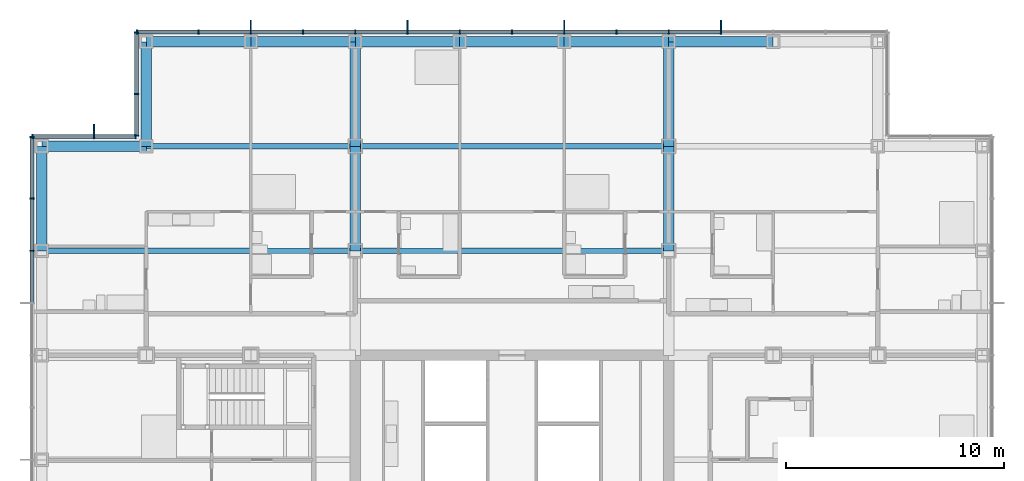
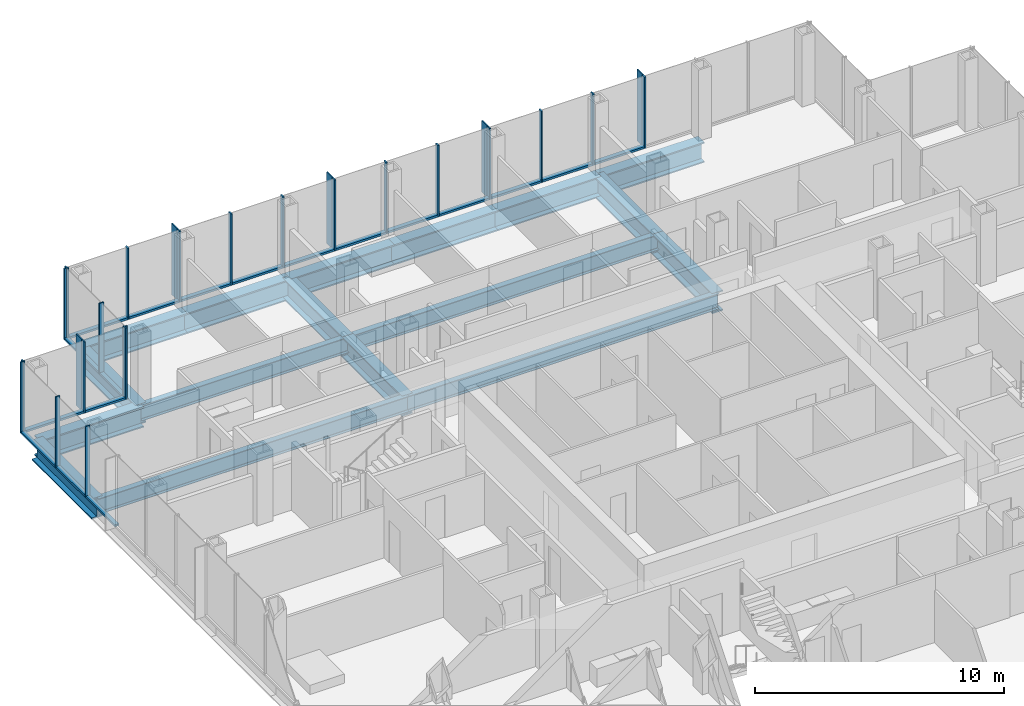
# One storey, part 10 of 21: 44 members, 17 beams, 4 elements without a shape of their own.
"""IFC4 building model written with IfcOpenShell, lengths in metres."""

from ifc_helpers import new_model, si_unit, direction, frame, origin, origin_2d, place, context, subcontext, project, spatial, rectangle, i_section, extrude, material, material_profile, profile_set, type_object, element, aggregate, save


model = new_model("IFC4")

# Units and contexts
model_context = context("Model", 3, precision=1e-05, world=origin(), true_north=direction((0.0, 1.0)))
body_context = subcontext(model_context, "Body", "Model", "MODEL_VIEW")
ifc_project = project(units=[si_unit("LENGTHUNIT", "METRE"), si_unit("AREAUNIT", "SQUARE_METRE"), si_unit("VOLUMEUNIT", "CUBIC_METRE"), si_unit("PLANEANGLEUNIT", "RADIAN"), si_unit("MASSUNIT", "GRAM", prefix="KILO")], contexts=[model_context])

# Site, building, storey
site_placement = place(None, origin())
site = spatial("IfcSite", under=ifc_project, at=site_placement, CompositionType="ELEMENT")
building_placement = place(site_placement, origin())
building = spatial("IfcBuilding", under=site, at=building_placement, Name="Kvirike Care Tower", CompositionType="ELEMENT")
storey_placement = place(building_placement, frame((0.0, 0.0, 65.5)))
storey = spatial("IfcBuildingStorey", under=building, at=storey_placement, Name="L17", CompositionType="ELEMENT", Elevation=65.5)

# Curtain wall, members
ifc_material_1 = material(Name="Anodised aluminium stick system", Category="aluminium")
curtain_wall_type = type_object("IfcCurtainWallType", Name="CW-A STICK CURTAIN WALL", PredefinedType="NOTDEFINED", material=ifc_material_1)
curtain_wall_1_placement = place(storey_placement, origin())
curtain_wall_1 = element("IfcCurtainWall", 1, at=curtain_wall_1_placement, inside=storey, type_object=curtain_wall_type, Name="Curtain wall L17 face 10", PredefinedType="NOTDEFINED")
ifc_material_2 = material(Name="Bronze anodised aluminium fin", Category="aluminium")
ifc_material_profile_1 = material_profile(ifc_material_2, rectangle(XDim=0.050048828125, YDim=0.449951171875, at=origin_2d()), Name="BRONZE FIN 450")
ifc_profile_set_1 = profile_set([ifc_material_profile_1], Name="Bronze anodised aluminium fin")
member_type_1 = type_object("IfcMemberType", Name="BRONZE FIN 450", PredefinedType="USERDEFINED", material=ifc_profile_set_1)
member_1_placement = place(storey_placement, frame((31.199951171875, 58.375, 0.0), z_axis=(0.0, 0.0, 1.0), x_axis=(-1.0, 0.0, 0.0)))
member_1 = element("IfcMember", 2, at=member_1_placement, type_object=member_type_1, Name="Bronze fin L17 face 10.4", ObjectType="FIN", PredefinedType="USERDEFINED", context=body_context, shape_type="SweptSolid", body=[
    extrude(rectangle(XDim=0.050048828125, YDim=0.449951171875, at=origin_2d()), origin(), (0.0, 0.0, 1.0), 3.5),
])
member_2_placement = place(storey_placement, frame((24.0, 58.375, 0.0), z_axis=(0.0, 0.0, 1.0), x_axis=(-1.0, 0.0, 0.0)))
member_2 = element("IfcMember", 3, at=member_2_placement, type_object=member_type_1, Name="Bronze fin L17 face 10.7", ObjectType="FIN", PredefinedType="USERDEFINED", context=body_context, shape_type="SweptSolid", body=[
    extrude(rectangle(XDim=0.050048828125, YDim=0.449951171875, at=origin_2d()), origin(), (0.0, 0.0, 1.0), 3.5),
])
member_3_placement = place(storey_placement, frame((16.800048828125, 58.375, 0.0), z_axis=(0.0, 0.0, 1.0), x_axis=(-1.0, 0.0, 0.0)))
member_3 = element("IfcMember", 4, at=member_3_placement, type_object=member_type_1, Name="Bronze fin L17 face 10.10", ObjectType="FIN", PredefinedType="USERDEFINED", context=body_context, shape_type="SweptSolid", body=[
    extrude(rectangle(XDim=0.050048828125, YDim=0.449951171875, at=origin_2d()), origin(), (0.0, 0.0, 1.0), 3.5),
])
member_4_placement = place(storey_placement, frame((9.60009765625, 58.375, 0.0), z_axis=(0.0, 0.0, 1.0), x_axis=(-1.0, 0.0, 0.0)))
member_4 = element("IfcMember", 5, at=member_4_placement, type_object=member_type_1, Name="Bronze fin L17 face 10.13", ObjectType="FIN", PredefinedType="USERDEFINED", context=body_context, shape_type="SweptSolid", body=[
    extrude(rectangle(XDim=0.050048828125, YDim=0.449951171875, at=origin_2d()), origin(), (0.0, 0.0, 1.0), 3.5),
])

# Curtain wall, member
curtain_wall_2_placement = place(storey_placement, origin())
curtain_wall_2 = element("IfcCurtainWall", 6, at=curtain_wall_2_placement, inside=storey, type_object=curtain_wall_type, Name="Curtain wall L17 face 12", PredefinedType="NOTDEFINED")
member_5_placement = place(storey_placement, frame((2.39990234375, 53.574951171875, 0.0), z_axis=(0.0, 0.0, 1.0), x_axis=(-1.0, 0.0, 0.0)))
member_5 = element("IfcMember", 7, at=member_5_placement, type_object=member_type_1, Name="Bronze fin L17 face 12.2", ObjectType="FIN", PredefinedType="USERDEFINED", context=body_context, shape_type="SweptSolid", body=[
    extrude(rectangle(XDim=0.050048828125, YDim=0.449951171875, at=origin_2d()), origin(), (0.0, 0.0, 1.0), 3.5),
])

# Curtain wall, members
curtain_wall_3_placement = place(storey_placement, origin())
curtain_wall_3 = element("IfcCurtainWall", 8, at=curtain_wall_3_placement, inside=storey, type_object=curtain_wall_type, Name="Curtain wall L17 face 1", PredefinedType="NOTDEFINED")
ifc_material_3 = material(Name="Bronze anodised aluminium mullion", Category="aluminium")
ifc_material_profile_2 = material_profile(ifc_material_3, rectangle(XDim=0.06494140625, YDim=0.199951171875, at=origin_2d()), Name="CW-A MULLION 65x200")
ifc_profile_set_2 = profile_set([ifc_material_profile_2], Name="Bronze anodised aluminium mullion")
member_type_2 = type_object("IfcMemberType", Name="CW-A MULLION 65x200", PredefinedType="MULLION", material=ifc_profile_set_2)
member_6_placement = place(storey_placement, frame((-0.449951171875, 53.217529296875, 0.0), z_axis=(0.0, 0.0, 1.0), x_axis=(0.0, -1.0, 0.0)))
member_6 = element("IfcMember", 9, at=member_6_placement, type_object=member_type_2, Name="CW-A mullion L17 face 1.1", PredefinedType="MULLION", context=body_context, shape_type="SweptSolid", body=[
    extrude(rectangle(XDim=0.06494140625, YDim=0.199951171875, at=origin_2d()), origin(), (0.0, 0.0, 1.0), 3.5),
])
member_7_placement = place(storey_placement, frame((-0.449951171875, 50.39990234375, 0.0), z_axis=(0.0, 0.0, 1.0), x_axis=(0.0, -1.0, 0.0)))
member_7 = element("IfcMember", 10, at=member_7_placement, type_object=member_type_2, Name="CW-A mullion L17 face 1.2", PredefinedType="MULLION", context=body_context, shape_type="SweptSolid", body=[
    extrude(rectangle(XDim=0.06494140625, YDim=0.199951171875, at=origin_2d()), origin(), (0.0, 0.0, 1.0), 3.5),
])
member_8_placement = place(storey_placement, frame((-0.449951171875, 48.0, 0.0), z_axis=(0.0, 0.0, 1.0), x_axis=(0.0, -1.0, 0.0)))
member_8 = element("IfcMember", 11, at=member_8_placement, type_object=member_type_2, Name="CW-A mullion L17 face 1.3", PredefinedType="MULLION", context=body_context, shape_type="SweptSolid", body=[
    extrude(rectangle(XDim=0.06494140625, YDim=0.199951171875, at=origin_2d()), origin(), (0.0, 0.0, 1.0), 3.5),
])

# Member
member_9_placement = place(storey_placement, frame((31.199951171875, 58.050048828125, 0.0), z_axis=(0.0, 0.0, 1.0), x_axis=(-1.0, 0.0, 0.0)))
member_9 = element("IfcMember", 12, at=member_9_placement, type_object=member_type_2, Name="CW-A mullion L17 face 10.4", PredefinedType="MULLION", context=body_context, shape_type="SweptSolid", body=[
    extrude(rectangle(XDim=0.06494140625, YDim=0.199951171875, at=origin_2d()), origin(), (0.0, 0.0, 1.0), 3.5),
])

member_10_placement = place(storey_placement, frame((28.800048828125, 58.050048828125, 0.0), z_axis=(0.0, 0.0, 1.0), x_axis=(-1.0, 0.0, 0.0)))
member_10 = element("IfcMember", 13, at=member_10_placement, type_object=member_type_2, Name="CW-A mullion L17 face 10.5", PredefinedType="MULLION", context=body_context, shape_type="SweptSolid", body=[
    extrude(rectangle(XDim=0.06494140625, YDim=0.199951171875, at=origin_2d()), origin(), (0.0, 0.0, 1.0), 3.5),
])

member_11_placement = place(storey_placement, frame((26.39990234375, 58.050048828125, 0.0), z_axis=(0.0, 0.0, 1.0), x_axis=(-1.0, 0.0, 0.0)))
member_11 = element("IfcMember", 14, at=member_11_placement, type_object=member_type_2, Name="CW-A mullion L17 face 10.6", PredefinedType="MULLION", context=body_context, shape_type="SweptSolid", body=[
    extrude(rectangle(XDim=0.06494140625, YDim=0.199951171875, at=origin_2d()), origin(), (0.0, 0.0, 1.0), 3.5),
])

member_12_placement = place(storey_placement, frame((24.0, 58.050048828125, 0.0), z_axis=(0.0, 0.0, 1.0), x_axis=(-1.0, 0.0, 0.0)))
member_12 = element("IfcMember", 15, at=member_12_placement, type_object=member_type_2, Name="CW-A mullion L17 face 10.7", PredefinedType="MULLION", context=body_context, shape_type="SweptSolid", body=[
    extrude(rectangle(XDim=0.06494140625, YDim=0.199951171875, at=origin_2d()), origin(), (0.0, 0.0, 1.0), 3.5),
])

member_13_placement = place(storey_placement, frame((21.60009765625, 58.050048828125, 0.0), z_axis=(0.0, 0.0, 1.0), x_axis=(-1.0, 0.0, 0.0)))
member_13 = element("IfcMember", 16, at=member_13_placement, type_object=member_type_2, Name="CW-A mullion L17 face 10.8", PredefinedType="MULLION", context=body_context, shape_type="SweptSolid", body=[
    extrude(rectangle(XDim=0.06494140625, YDim=0.199951171875, at=origin_2d()), origin(), (0.0, 0.0, 1.0), 3.5),
])

member_14_placement = place(storey_placement, frame((19.199951171875, 58.050048828125, 0.0), z_axis=(0.0, 0.0, 1.0), x_axis=(-1.0, 0.0, 0.0)))
member_14 = element("IfcMember", 17, at=member_14_placement, type_object=member_type_2, Name="CW-A mullion L17 face 10.9", PredefinedType="MULLION", context=body_context, shape_type="SweptSolid", body=[
    extrude(rectangle(XDim=0.06494140625, YDim=0.199951171875, at=origin_2d()), origin(), (0.0, 0.0, 1.0), 3.5),
])

member_15_placement = place(storey_placement, frame((16.800048828125, 58.050048828125, 0.0), z_axis=(0.0, 0.0, 1.0), x_axis=(-1.0, 0.0, 0.0)))
member_15 = element("IfcMember", 18, at=member_15_placement, type_object=member_type_2, Name="CW-A mullion L17 face 10.10", PredefinedType="MULLION", context=body_context, shape_type="SweptSolid", body=[
    extrude(rectangle(XDim=0.06494140625, YDim=0.199951171875, at=origin_2d()), origin(), (0.0, 0.0, 1.0), 3.5),
])

member_16_placement = place(storey_placement, frame((14.39990234375, 58.050048828125, 0.0), z_axis=(0.0, 0.0, 1.0), x_axis=(-1.0, 0.0, 0.0)))
member_16 = element("IfcMember", 19, at=member_16_placement, type_object=member_type_2, Name="CW-A mullion L17 face 10.11", PredefinedType="MULLION", context=body_context, shape_type="SweptSolid", body=[
    extrude(rectangle(XDim=0.06494140625, YDim=0.199951171875, at=origin_2d()), origin(), (0.0, 0.0, 1.0), 3.5),
])

member_17_placement = place(storey_placement, frame((12.0, 58.050048828125, 0.0), z_axis=(0.0, 0.0, 1.0), x_axis=(-1.0, 0.0, 0.0)))
member_17 = element("IfcMember", 20, at=member_17_placement, type_object=member_type_2, Name="CW-A mullion L17 face 10.12", PredefinedType="MULLION", context=body_context, shape_type="SweptSolid", body=[
    extrude(rectangle(XDim=0.06494140625, YDim=0.199951171875, at=origin_2d()), origin(), (0.0, 0.0, 1.0), 3.5),
])

member_18_placement = place(storey_placement, frame((9.60009765625, 58.050048828125, 0.0), z_axis=(0.0, 0.0, 1.0), x_axis=(-1.0, 0.0, 0.0)))
member_18 = element("IfcMember", 21, at=member_18_placement, type_object=member_type_2, Name="CW-A mullion L17 face 10.13", PredefinedType="MULLION", context=body_context, shape_type="SweptSolid", body=[
    extrude(rectangle(XDim=0.06494140625, YDim=0.199951171875, at=origin_2d()), origin(), (0.0, 0.0, 1.0), 3.5),
])

member_19_placement = place(storey_placement, frame((7.199951171875, 58.050048828125, 0.0), z_axis=(0.0, 0.0, 1.0), x_axis=(-1.0, 0.0, 0.0)))
member_19 = element("IfcMember", 22, at=member_19_placement, type_object=member_type_2, Name="CW-A mullion L17 face 10.14", PredefinedType="MULLION", context=body_context, shape_type="SweptSolid", body=[
    extrude(rectangle(XDim=0.06494140625, YDim=0.199951171875, at=origin_2d()), origin(), (0.0, 0.0, 1.0), 3.5),
])

member_20_placement = place(storey_placement, frame((4.382568359375, 58.050048828125, 0.0), z_axis=(0.0, 0.0, 1.0), x_axis=(-1.0, 0.0, 0.0)))
member_20 = element("IfcMember", 23, at=member_20_placement, type_object=member_type_2, Name="CW-A mullion L17 face 10.15", PredefinedType="MULLION", context=body_context, shape_type="SweptSolid", body=[
    extrude(rectangle(XDim=0.06494140625, YDim=0.199951171875, at=origin_2d()), origin(), (0.0, 0.0, 1.0), 3.5),
])

# Curtain wall, members
curtain_wall_4_placement = place(storey_placement, origin())
curtain_wall_4 = element("IfcCurtainWall", 24, at=curtain_wall_4_placement, inside=storey, type_object=curtain_wall_type, Name="Curtain wall L17 face 11", PredefinedType="NOTDEFINED")
member_21_placement = place(storey_placement, frame((4.35009765625, 58.017578125, 0.0), z_axis=(0.0, 0.0, 1.0), x_axis=(0.0, -1.0, 0.0)))
member_21 = element("IfcMember", 25, at=member_21_placement, type_object=member_type_2, Name="CW-A mullion L17 face 11.1", PredefinedType="MULLION", context=body_context, shape_type="SweptSolid", body=[
    extrude(rectangle(XDim=0.06494140625, YDim=0.199951171875, at=origin_2d()), origin(), (0.0, 0.0, 1.0), 3.5),
])
member_22_placement = place(storey_placement, frame((4.35009765625, 55.199951171875, 0.0), z_axis=(0.0, 0.0, 1.0), x_axis=(0.0, -1.0, 0.0)))
member_22 = element("IfcMember", 26, at=member_22_placement, type_object=member_type_2, Name="CW-A mullion L17 face 11.2", PredefinedType="MULLION", context=body_context, shape_type="SweptSolid", body=[
    extrude(rectangle(XDim=0.06494140625, YDim=0.199951171875, at=origin_2d()), origin(), (0.0, 0.0, 1.0), 3.5),
])
member_23_placement = place(storey_placement, frame((4.35009765625, 53.282470703125, 0.0), z_axis=(0.0, 0.0, 1.0), x_axis=(0.0, -1.0, 0.0)))
member_23 = element("IfcMember", 27, at=member_23_placement, type_object=member_type_2, Name="CW-A mullion L17 face 11.3", PredefinedType="MULLION", context=body_context, shape_type="SweptSolid", body=[
    extrude(rectangle(XDim=0.06494140625, YDim=0.199951171875, at=origin_2d()), origin(), (0.0, 0.0, 1.0), 3.5),
])

# Member
member_24_placement = place(storey_placement, frame((4.3173828125, 53.25, 0.0), z_axis=(0.0, 0.0, 1.0), x_axis=(-1.0, 0.0, 0.0)))
member_24 = element("IfcMember", 28, at=member_24_placement, type_object=member_type_2, Name="CW-A mullion L17 face 12.1", PredefinedType="MULLION", context=body_context, shape_type="SweptSolid", body=[
    extrude(rectangle(XDim=0.06494140625, YDim=0.199951171875, at=origin_2d()), origin(), (0.0, 0.0, 1.0), 3.5),
])

member_25_placement = place(storey_placement, frame((2.39990234375, 53.25, 0.0), z_axis=(0.0, 0.0, 1.0), x_axis=(-1.0, 0.0, 0.0)))
member_25 = element("IfcMember", 29, at=member_25_placement, type_object=member_type_2, Name="CW-A mullion L17 face 12.2", PredefinedType="MULLION", context=body_context, shape_type="SweptSolid", body=[
    extrude(rectangle(XDim=0.06494140625, YDim=0.199951171875, at=origin_2d()), origin(), (0.0, 0.0, 1.0), 3.5),
])

member_26_placement = place(storey_placement, frame((-0.41748046875, 53.25, 0.0), z_axis=(0.0, 0.0, 1.0), x_axis=(-1.0, 0.0, 0.0)))
member_26 = element("IfcMember", 30, at=member_26_placement, type_object=member_type_2, Name="CW-A mullion L17 face 12.3", PredefinedType="MULLION", context=body_context, shape_type="SweptSolid", body=[
    extrude(rectangle(XDim=0.06494140625, YDim=0.199951171875, at=origin_2d()), origin(), (0.0, 0.0, 1.0), 3.5),
])

ifc_material_4 = material(Name="Bronze anodised aluminium transom", Category="aluminium")
ifc_material_profile_3 = material_profile(ifc_material_4, rectangle(XDim=0.199951171875, YDim=0.10009765625, at=origin_2d()), Name="CW-A TRANSOM 200x100")
ifc_profile_set_3 = profile_set([ifc_material_profile_3], Name="Bronze anodised aluminium transom")
member_type_3 = type_object("IfcMemberType", Name="CW-A TRANSOM 200x100", PredefinedType="USERDEFINED", material=ifc_profile_set_3)
member_27_placement = place(storey_placement, frame((-0.449951171875, 53.18505859375, 0.050048828125), z_axis=(0.0, -1.0, 0.0), x_axis=(1.0, 0.0, 0.0)))
member_27 = element("IfcMember", 31, at=member_27_placement, type_object=member_type_3, Name="CW-A sill transom L17 face 1.1", ObjectType="TRANSOM", PredefinedType="USERDEFINED", context=body_context, shape_type="SweptSolid", body=[
    extrude(rectangle(XDim=0.199951171875, YDim=0.10009765625, at=origin_2d()), origin(), (0.0, 0.0, 1.0), 2.75244140625),
])

member_28_placement = place(storey_placement, frame((-0.449951171875, 50.367431640625, 0.050048828125), z_axis=(0.0, -1.0, 0.0), x_axis=(1.0, 0.0, 0.0)))
member_28 = element("IfcMember", 32, at=member_28_placement, type_object=member_type_3, Name="CW-A sill transom L17 face 1.2", ObjectType="TRANSOM", PredefinedType="USERDEFINED", context=body_context, shape_type="SweptSolid", body=[
    extrude(rectangle(XDim=0.199951171875, YDim=0.10009765625, at=origin_2d()), origin(), (0.0, 0.0, 1.0), 2.3349609375),
])

member_29_placement = place(storey_placement, frame((-0.449951171875, 47.967529296875, 0.050048828125), z_axis=(0.0, -1.0, 0.0), x_axis=(1.0, 0.0, 0.0)))
member_29 = element("IfcMember", 33, at=member_29_placement, type_object=member_type_3, Name="CW-A sill transom L17 face 1.3", ObjectType="TRANSOM", PredefinedType="USERDEFINED", context=body_context, shape_type="SweptSolid", body=[
    extrude(rectangle(XDim=0.199951171875, YDim=0.10009765625, at=origin_2d()), origin(), (0.0, 0.0, 1.0), 2.3349609375),
])

aggregate(curtain_wall_3, [member_6, member_7, member_8, member_27, member_28, member_29])

member_30_placement = place(storey_placement, frame((31.16748046875, 58.050048828125, 0.050048828125), z_axis=(-1.0, 0.0, 0.0), x_axis=(0.0, -1.0, 0.0)))
member_30 = element("IfcMember", 34, at=member_30_placement, type_object=member_type_3, Name="CW-A sill transom L17 face 10.4", ObjectType="TRANSOM", PredefinedType="USERDEFINED", context=body_context, shape_type="SweptSolid", body=[
    extrude(rectangle(XDim=0.199951171875, YDim=0.10009765625, at=origin_2d()), origin(), (0.0, 0.0, 1.0), 2.3349609375),
])

member_31_placement = place(storey_placement, frame((28.767578125, 58.050048828125, 0.050048828125), z_axis=(-1.0, 0.0, 0.0), x_axis=(0.0, -1.0, 0.0)))
member_31 = element("IfcMember", 35, at=member_31_placement, type_object=member_type_3, Name="CW-A sill transom L17 face 10.5", ObjectType="TRANSOM", PredefinedType="USERDEFINED", context=body_context, shape_type="SweptSolid", body=[
    extrude(rectangle(XDim=0.199951171875, YDim=0.10009765625, at=origin_2d()), origin(), (0.0, 0.0, 1.0), 2.3349609375),
])

member_32_placement = place(storey_placement, frame((26.367431640625, 58.050048828125, 0.050048828125), z_axis=(-1.0, 0.0, 0.0), x_axis=(0.0, -1.0, 0.0)))
member_32 = element("IfcMember", 36, at=member_32_placement, type_object=member_type_3, Name="CW-A sill transom L17 face 10.6", ObjectType="TRANSOM", PredefinedType="USERDEFINED", context=body_context, shape_type="SweptSolid", body=[
    extrude(rectangle(XDim=0.199951171875, YDim=0.10009765625, at=origin_2d()), origin(), (0.0, 0.0, 1.0), 2.3349609375),
])

member_33_placement = place(storey_placement, frame((23.967529296875, 58.050048828125, 0.050048828125), z_axis=(-1.0, 0.0, 0.0), x_axis=(0.0, -1.0, 0.0)))
member_33 = element("IfcMember", 37, at=member_33_placement, type_object=member_type_3, Name="CW-A sill transom L17 face 10.7", ObjectType="TRANSOM", PredefinedType="USERDEFINED", context=body_context, shape_type="SweptSolid", body=[
    extrude(rectangle(XDim=0.199951171875, YDim=0.10009765625, at=origin_2d()), origin(), (0.0, 0.0, 1.0), 2.3349609375),
])

member_34_placement = place(storey_placement, frame((21.5673828125, 58.050048828125, 0.050048828125), z_axis=(-1.0, 0.0, 0.0), x_axis=(0.0, -1.0, 0.0)))
member_34 = element("IfcMember", 38, at=member_34_placement, type_object=member_type_3, Name="CW-A sill transom L17 face 10.8", ObjectType="TRANSOM", PredefinedType="USERDEFINED", context=body_context, shape_type="SweptSolid", body=[
    extrude(rectangle(XDim=0.199951171875, YDim=0.10009765625, at=origin_2d()), origin(), (0.0, 0.0, 1.0), 2.3349609375),
])

member_35_placement = place(storey_placement, frame((19.16748046875, 58.050048828125, 0.050048828125), z_axis=(-1.0, 0.0, 0.0), x_axis=(0.0, -1.0, 0.0)))
member_35 = element("IfcMember", 39, at=member_35_placement, type_object=member_type_3, Name="CW-A sill transom L17 face 10.9", ObjectType="TRANSOM", PredefinedType="USERDEFINED", context=body_context, shape_type="SweptSolid", body=[
    extrude(rectangle(XDim=0.199951171875, YDim=0.10009765625, at=origin_2d()), origin(), (0.0, 0.0, 1.0), 2.3349609375),
])

member_36_placement = place(storey_placement, frame((16.767578125, 58.050048828125, 0.050048828125), z_axis=(-1.0, 0.0, 0.0), x_axis=(0.0, -1.0, 0.0)))
member_36 = element("IfcMember", 40, at=member_36_placement, type_object=member_type_3, Name="CW-A sill transom L17 face 10.10", ObjectType="TRANSOM", PredefinedType="USERDEFINED", context=body_context, shape_type="SweptSolid", body=[
    extrude(rectangle(XDim=0.199951171875, YDim=0.10009765625, at=origin_2d()), origin(), (0.0, 0.0, 1.0), 2.3349609375),
])

member_37_placement = place(storey_placement, frame((14.367431640625, 58.050048828125, 0.050048828125), z_axis=(-1.0, 0.0, 0.0), x_axis=(0.0, -1.0, 0.0)))
member_37 = element("IfcMember", 41, at=member_37_placement, type_object=member_type_3, Name="CW-A sill transom L17 face 10.11", ObjectType="TRANSOM", PredefinedType="USERDEFINED", context=body_context, shape_type="SweptSolid", body=[
    extrude(rectangle(XDim=0.199951171875, YDim=0.10009765625, at=origin_2d()), origin(), (0.0, 0.0, 1.0), 2.3349609375),
])

member_38_placement = place(storey_placement, frame((11.967529296875, 58.050048828125, 0.050048828125), z_axis=(-1.0, 0.0, 0.0), x_axis=(0.0, -1.0, 0.0)))
member_38 = element("IfcMember", 42, at=member_38_placement, type_object=member_type_3, Name="CW-A sill transom L17 face 10.12", ObjectType="TRANSOM", PredefinedType="USERDEFINED", context=body_context, shape_type="SweptSolid", body=[
    extrude(rectangle(XDim=0.199951171875, YDim=0.10009765625, at=origin_2d()), origin(), (0.0, 0.0, 1.0), 2.3349609375),
])

member_39_placement = place(storey_placement, frame((9.5673828125, 58.050048828125, 0.050048828125), z_axis=(-1.0, 0.0, 0.0), x_axis=(0.0, -1.0, 0.0)))
member_39 = element("IfcMember", 43, at=member_39_placement, type_object=member_type_3, Name="CW-A sill transom L17 face 10.13", ObjectType="TRANSOM", PredefinedType="USERDEFINED", context=body_context, shape_type="SweptSolid", body=[
    extrude(rectangle(XDim=0.199951171875, YDim=0.10009765625, at=origin_2d()), origin(), (0.0, 0.0, 1.0), 2.3349609375),
])

member_40_placement = place(storey_placement, frame((7.16748046875, 58.050048828125, 0.050048828125), z_axis=(-1.0, 0.0, 0.0), x_axis=(0.0, -1.0, 0.0)))
member_40 = element("IfcMember", 44, at=member_40_placement, type_object=member_type_3, Name="CW-A sill transom L17 face 10.14", ObjectType="TRANSOM", PredefinedType="USERDEFINED", context=body_context, shape_type="SweptSolid", body=[
    extrude(rectangle(XDim=0.199951171875, YDim=0.10009765625, at=origin_2d()), origin(), (0.0, 0.0, 1.0), 2.75244140625),
])

aggregate(curtain_wall_1, [member_9, member_1, member_10, member_11, member_12, member_2, member_13, member_14, member_15, member_3, member_16, member_17, member_18, member_4, member_19, member_20, member_30, member_31, member_32, member_33, member_34, member_35, member_36, member_37, member_38, member_39, member_40])

member_41_placement = place(storey_placement, frame((4.35009765625, 57.985107421875, 0.050048828125), z_axis=(0.0, -1.0, 0.0), x_axis=(1.0, 0.0, 0.0)))
member_41 = element("IfcMember", 45, at=member_41_placement, type_object=member_type_3, Name="CW-A sill transom L17 face 11.1", ObjectType="TRANSOM", PredefinedType="USERDEFINED", context=body_context, shape_type="SweptSolid", body=[
    extrude(rectangle(XDim=0.199951171875, YDim=0.10009765625, at=origin_2d()), origin(), (0.0, 0.0, 1.0), 2.752685546875),
])

member_42_placement = place(storey_placement, frame((4.35009765625, 55.16748046875, 0.050048828125), z_axis=(0.0, -1.0, 0.0), x_axis=(1.0, 0.0, 0.0)))
member_42 = element("IfcMember", 46, at=member_42_placement, type_object=member_type_3, Name="CW-A sill transom L17 face 11.2", ObjectType="TRANSOM", PredefinedType="USERDEFINED", context=body_context, shape_type="SweptSolid", body=[
    extrude(rectangle(XDim=0.199951171875, YDim=0.10009765625, at=origin_2d()), origin(), (0.0, 0.0, 1.0), 1.8525390625),
])

aggregate(curtain_wall_4, [member_21, member_22, member_23, member_41, member_42])

member_43_placement = place(storey_placement, frame((4.284912109375, 53.25, 0.050048828125), z_axis=(-1.0, 0.0, 0.0), x_axis=(0.0, -1.0, 0.0)))
member_43 = element("IfcMember", 47, at=member_43_placement, type_object=member_type_3, Name="CW-A sill transom L17 face 12.1", ObjectType="TRANSOM", PredefinedType="USERDEFINED", context=body_context, shape_type="SweptSolid", body=[
    extrude(rectangle(XDim=0.199951171875, YDim=0.10009765625, at=origin_2d()), origin(), (0.0, 0.0, 1.0), 1.852294921875),
])

member_44_placement = place(storey_placement, frame((2.367431640625, 53.25, 0.050048828125), z_axis=(-1.0, 0.0, 0.0), x_axis=(0.0, -1.0, 0.0)))
member_44 = element("IfcMember", 48, at=member_44_placement, type_object=member_type_3, Name="CW-A sill transom L17 face 12.2", ObjectType="TRANSOM", PredefinedType="USERDEFINED", context=body_context, shape_type="SweptSolid", body=[
    extrude(rectangle(XDim=0.199951171875, YDim=0.10009765625, at=origin_2d()), origin(), (0.0, 0.0, 1.0), 2.75244140625),
])

aggregate(curtain_wall_2, [member_24, member_25, member_5, member_26, member_43, member_44])

# Beams
ifc_material_5 = material(Name="Steel S355", Category="steel")
ifc_material_profile_4 = material_profile(ifc_material_5, i_section(OverallWidth=0.26806640625, OverallDepth=0.77001953125, WebThickness=0.015625, FlangeThickness=0.025390625, FilletRadius=0.01708984375, at=origin_2d()), Name="IPE 750x196")
ifc_profile_set_4 = profile_set([ifc_material_profile_4], Name="Steel S355")
beam_type_1 = type_object("IfcBeamType", Name="FLOOR BEAM IPE 750x196", PredefinedType="BEAM", material=ifc_profile_set_4)
beam_1_placement = place(storey_placement, frame((0.0, 48.0, -0.554931640625), z_axis=(1.0, 0.0, 0.0), x_axis=(0.0, 1.0, 0.0)))
element("IfcBeam", 49, at=beam_1_placement, inside=storey, type_object=beam_type_1, Name="Floor Beam L3-L6 L17", PredefinedType="BEAM", context=body_context, shape_type="SweptSolid", body=[
    extrude(i_section(OverallWidth=0.26806640625, OverallDepth=0.77001953125, WebThickness=0.015625, FlangeThickness=0.025390625, FilletRadius=0.01708984375, at=origin_2d()), origin(), (0.0, 0.0, 1.0), 14.39990234375),
])
beam_2_placement = place(storey_placement, frame((14.39990234375, 48.0, -0.554931640625), z_axis=(1.0, 0.0, 0.0), x_axis=(0.0, 1.0, 0.0)))
element("IfcBeam", 50, at=beam_2_placement, inside=storey, type_object=beam_type_1, Name="Floor Beam L6-L9 L17", PredefinedType="BEAM", context=body_context, shape_type="SweptSolid", body=[
    extrude(i_section(OverallWidth=0.26806640625, OverallDepth=0.77001953125, WebThickness=0.015625, FlangeThickness=0.025390625, FilletRadius=0.01708984375, at=origin_2d()), origin(), (0.0, 0.0, 1.0), 14.400146484375),
])
beam_3_placement = place(storey_placement, frame((4.800048828125, 52.800048828125, -0.554931640625), z_axis=(1.0, 0.0, 0.0), x_axis=(0.0, 1.0, 0.0)))
element("IfcBeam", 51, at=beam_3_placement, inside=storey, type_object=beam_type_1, Name="Floor Beam M4-M6 L17", PredefinedType="BEAM", context=body_context, shape_type="SweptSolid", body=[
    extrude(i_section(OverallWidth=0.26806640625, OverallDepth=0.77001953125, WebThickness=0.015625, FlangeThickness=0.025390625, FilletRadius=0.01708984375, at=origin_2d()), origin(), (0.0, 0.0, 1.0), 9.599853515625),
])
beam_4_placement = place(storey_placement, frame((14.39990234375, 52.800048828125, -0.554931640625), z_axis=(1.0, 0.0, 0.0), x_axis=(0.0, 1.0, 0.0)))
element("IfcBeam", 52, at=beam_4_placement, inside=storey, type_object=beam_type_1, Name="Floor Beam M6-M9 L17", PredefinedType="BEAM", context=body_context, shape_type="SweptSolid", body=[
    extrude(i_section(OverallWidth=0.26806640625, OverallDepth=0.77001953125, WebThickness=0.015625, FlangeThickness=0.025390625, FilletRadius=0.01708984375, at=origin_2d()), origin(), (0.0, 0.0, 1.0), 14.400146484375),
])
ifc_material_6 = material(Name="Steel S355", Category="steel")
ifc_material_profile_5 = material_profile(ifc_material_6, i_section(OverallWidth=0.5, OverallDepth=1.0, WebThickness=0.030029296875, FlangeThickness=0.06005859375, at=origin_2d()), Name="PG 1000x500x30x60")
ifc_profile_set_5 = profile_set([ifc_material_profile_5], Name="Steel S355")
beam_type_2 = type_object("IfcBeamType", Name="FRAME BEAM PG 1000x500x30x60", PredefinedType="BEAM", material=ifc_profile_set_5)
for number, where, z_axis, x_axis, name in (
    (53, (14.39990234375, 48.0, -0.669921875), (0.0, 1.0, 0.0), (-1.0, 0.0, 0.0), "Frame Beam L6-M6 L17"),
    (54, (14.39990234375, 52.800048828125, -0.669921875), (0.0, 1.0, 0.0), (-1.0, 0.0, 0.0), "Frame Beam M6-N6 L17"),
    (55, (28.800048828125, 48.0, -0.669921875), (0.0, 1.0, 0.0), (-1.0, 0.0, 0.0), "Frame Beam L9-M9 L17"),
    (56, (28.800048828125, 52.800048828125, -0.669921875), (0.0, 1.0, 0.0), (-1.0, 0.0, 0.0), "Frame Beam M9-N9 L17"),
):
    element("IfcBeam", number, at=place(storey_placement, frame(where, z_axis=z_axis, x_axis=x_axis)), inside=storey, type_object=beam_type_2, Name=name, PredefinedType="BEAM", context=body_context, shape_type="SweptSolid", body=[
        extrude(i_section(OverallWidth=0.5, OverallDepth=1.0, WebThickness=0.030029296875, FlangeThickness=0.06005859375, at=origin_2d()), origin(), (0.0, 0.0, 1.0), 4.800048828125),
    ])
ifc_material_7 = material(Name="Steel S355", Category="steel")
ifc_material_profile_6 = material_profile(ifc_material_7, i_section(OverallWidth=0.5, OverallDepth=1.0, WebThickness=0.030029296875, FlangeThickness=0.06005859375, at=origin_2d()), Name="PG 1000x500x30x60")
ifc_profile_set_6 = profile_set([ifc_material_profile_6], Name="Steel S355")
beam_type_3 = type_object("IfcBeamType", Name="SPANDREL PG 1000x500x30x60", PredefinedType="SPANDREL", material=ifc_profile_set_6)
for number, where, z_axis, x_axis, name in (
    (57, (0.0, 52.800048828125, -0.669921875), (1.0, 0.0, 0.0), (0.0, 1.0, 0.0), "Spandrel M3-M4 L17"),
    (58, (4.800048828125, 57.60009765625, -0.669921875), (1.0, 0.0, 0.0), (0.0, 1.0, 0.0), "Spandrel N4-N5 L17"),
):
    element("IfcBeam", number, at=place(storey_placement, frame(where, z_axis=z_axis, x_axis=x_axis)), inside=storey, type_object=beam_type_3, Name=name, PredefinedType="SPANDREL", context=body_context, shape_type="SweptSolid", body=[
        extrude(i_section(OverallWidth=0.5, OverallDepth=1.0, WebThickness=0.030029296875, FlangeThickness=0.06005859375, at=origin_2d()), origin(), (0.0, 0.0, 1.0), 4.800048828125),
    ])
beam_5_placement = place(storey_placement, frame((9.60009765625, 57.60009765625, -0.669921875), z_axis=(1.0, 0.0, 0.0), x_axis=(0.0, 1.0, 0.0)))
element("IfcBeam", 59, at=beam_5_placement, inside=storey, type_object=beam_type_3, Name="Spandrel N5-N6 L17", PredefinedType="SPANDREL", context=body_context, shape_type="SweptSolid", body=[
    extrude(i_section(OverallWidth=0.5, OverallDepth=1.0, WebThickness=0.030029296875, FlangeThickness=0.06005859375, at=origin_2d()), origin(), (0.0, 0.0, 1.0), 4.7998046875),
])
for number, where, z_axis, x_axis, name in (
    (60, (14.39990234375, 57.60009765625, -0.669921875), (1.0, 0.0, 0.0), (0.0, 1.0, 0.0), "Spandrel N6-N7 L17"),
    (61, (19.199951171875, 57.60009765625, -0.669921875), (1.0, 0.0, 0.0), (0.0, 1.0, 0.0), "Spandrel N7-N8 L17"),
    (62, (24.0, 57.60009765625, -0.669921875), (1.0, 0.0, 0.0), (0.0, 1.0, 0.0), "Spandrel N8-N9 L17"),
    (63, (28.800048828125, 57.60009765625, -0.669921875), (1.0, 0.0, 0.0), (0.0, 1.0, 0.0), "Spandrel N9-N10 L17"),
    (64, (0.0, 48.0, -0.669921875), (0.0, 1.0, 0.0), (-1.0, 0.0, 0.0), "Spandrel L3-M3 L17"),
    (65, (4.800048828125, 52.800048828125, -0.669921875), (0.0, 1.0, 0.0), (-1.0, 0.0, 0.0), "Spandrel M4-N4 L17"),
):
    element("IfcBeam", number, at=place(storey_placement, frame(where, z_axis=z_axis, x_axis=x_axis)), inside=storey, type_object=beam_type_3, Name=name, PredefinedType="SPANDREL", context=body_context, shape_type="SweptSolid", body=[
        extrude(i_section(OverallWidth=0.5, OverallDepth=1.0, WebThickness=0.030029296875, FlangeThickness=0.06005859375, at=origin_2d()), origin(), (0.0, 0.0, 1.0), 4.800048828125),
    ])

save(model, "model.ifc")
